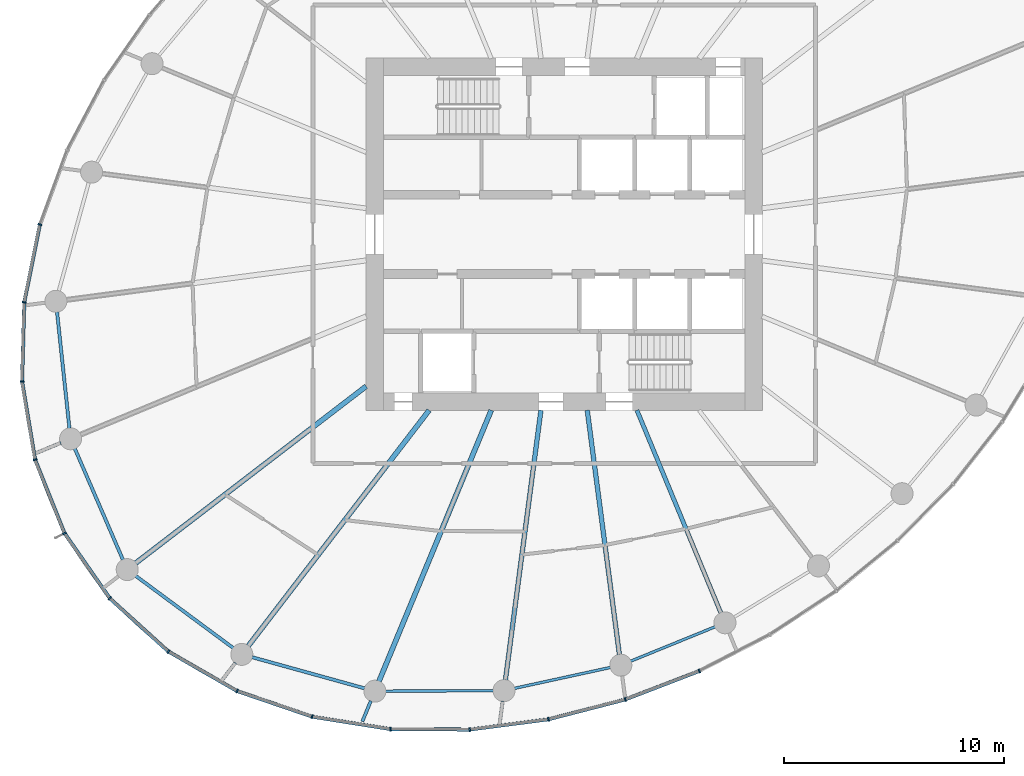
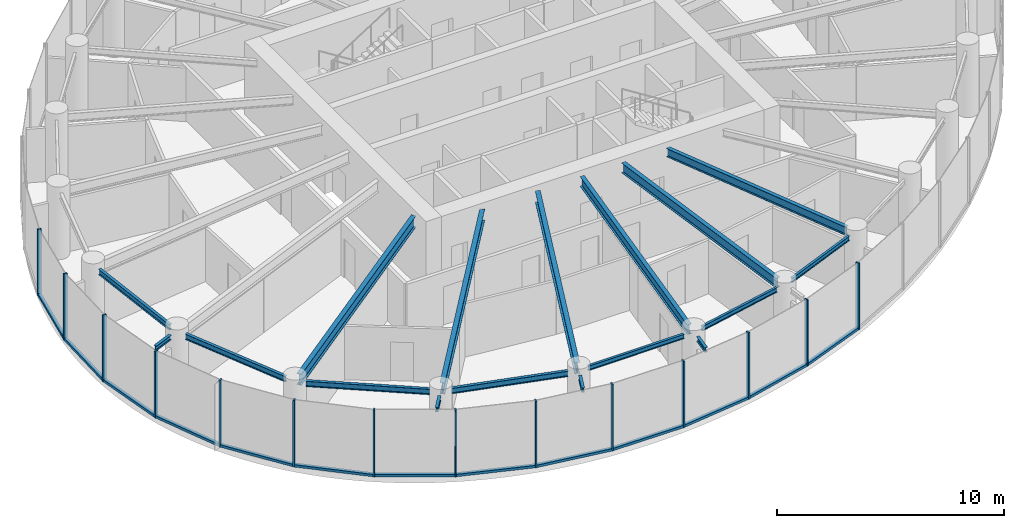
# One storey, part 2 of 14: 27 members, 17 beams, 3 elements without a shape of their own.
"""IFC4 building model written with IfcOpenShell, lengths in metres."""

from ifc_helpers import new_model, si_unit, direction, frame, origin, origin_2d, place, context, subcontext, project, spatial, rectangle, i_section, extrude, source, transform, mapped, material, layer, layer_set, material_profile, profile_set, type_object, element, aggregate, save


model = new_model("IFC4")

# Units and contexts
model_context = context("Model", 3, precision=1e-05, world=origin(), true_north=direction((0.0, 1.0)))
body_context = subcontext(model_context, "Body", "Model", "MODEL_VIEW")
ifc_project = project(units=[si_unit("LENGTHUNIT", "METRE"), si_unit("AREAUNIT", "SQUARE_METRE"), si_unit("VOLUMEUNIT", "CUBIC_METRE"), si_unit("PLANEANGLEUNIT", "RADIAN"), si_unit("MASSUNIT", "GRAM", prefix="KILO")], contexts=[model_context])

# Site, building, storey
site_placement = place(None, origin())
site = spatial("IfcSite", under=ifc_project, at=site_placement, CompositionType="ELEMENT")
building_placement = place(site_placement, origin())
building = spatial("IfcBuilding", under=site, at=building_placement, Name="Spindrift Exchange Tower", CompositionType="ELEMENT")
storey_placement = place(building_placement, frame((0.0, 0.0, 160.39990234375)))
storey = spatial("IfcBuildingStorey", under=building, at=storey_placement, Name="L38", CompositionType="ELEMENT", Elevation=160.39990234375)

# Beams
ifc_material_1 = material(Name="Steel Grade 300", Category="steel")
ifc_material_profile_1 = material_profile(ifc_material_1, i_section(OverallWidth=0.14892578125, OverallDepth=0.298095703125, WebThickness=0.005615234375, FlangeThickness=0.008056640625, FilletRadius=0.012939453125, at=origin_2d()), Name="310UB32.0")
ifc_profile_set_1 = profile_set([ifc_material_profile_1], Name="Steel Grade 300")
beam_type_1 = type_object("IfcBeamType", Name="Edge Beam 310UB32.0 Steel Grade 300", PredefinedType="SPANDREL", material=ifc_profile_set_1)
shared_shape_1 = source(origin(), body_context, "Body", "SweptSolid", [
    extrude(i_section(OverallWidth=0.14892578125, OverallDepth=0.298095703125, WebThickness=0.005615234375, FlangeThickness=0.008056640625, FilletRadius=0.012939453125, at=origin_2d()), origin(), (0.0, 0.0, 1.0), 5.31640625),
])
beam_1_placement = place(storey_placement, frame((28.989013671875, 44.486572265625, 3.43115234375), z_axis=(0.10598990948, -0.994367205357, 0.0), x_axis=(0.994367205357, 0.10598990948, 0.0)))
element("IfcBeam", 1, at=beam_1_placement, inside=storey, type_object=beam_type_1, Name="L38 edge beam E13", PredefinedType="SPANDREL", context=body_context, shape_type="MappedRepresentation", body=[
    mapped(shared_shape_1, transform((0.0, 0.0, 0.0), scale=1.0)),
])
shared_shape_2 = source(origin(), body_context, "Body", "SweptSolid", [
    extrude(i_section(OverallWidth=0.14892578125, OverallDepth=0.298095703125, WebThickness=0.005615234375, FlangeThickness=0.008056640625, FilletRadius=0.012939453125, at=origin_2d()), origin(), (0.0, 0.0, 1.0), 5.508544921875),
])
beam_2_placement = place(storey_placement, frame((29.794189453125, 38.282470703125, 3.43115234375), z_axis=(0.397414644433, -0.917639144975, 0.0), x_axis=(0.917639144975, 0.397414644433, 0.0)))
element("IfcBeam", 2, at=beam_2_placement, inside=storey, type_object=beam_type_1, Name="L38 edge beam E14", PredefinedType="SPANDREL", context=body_context, shape_type="MappedRepresentation", body=[
    mapped(shared_shape_2, transform((0.0, 0.0, 0.0), scale=1.0)),
])
shared_shape_3 = source(origin(), body_context, "Body", "SweptSolid", [
    extrude(i_section(OverallWidth=0.14892578125, OverallDepth=0.298095703125, WebThickness=0.005615234375, FlangeThickness=0.008056640625, FilletRadius=0.012939453125, at=origin_2d()), origin(), (0.0, 0.0, 1.0), 5.509033203125),
])
beam_3_placement = place(storey_placement, frame((32.56005859375, 32.501708984375, 3.43115234375), z_axis=(0.803991901791, -0.594640245741, 0.0), x_axis=(0.594640245741, 0.803991901791, 0.0)))
element("IfcBeam", 3, at=beam_3_placement, inside=storey, type_object=beam_type_1, Name="L38 edge beam E15", PredefinedType="SPANDREL", context=body_context, shape_type="MappedRepresentation", body=[
    mapped(shared_shape_3, transform((0.0, 0.0, 0.0), scale=1.0)),
])
shared_shape_4 = source(origin(), body_context, "Body", "SweptSolid", [
    extrude(i_section(OverallWidth=0.14892578125, OverallDepth=0.298095703125, WebThickness=0.005615234375, FlangeThickness=0.008056640625, FilletRadius=0.012939453125, at=origin_2d()), origin(), (0.0, 0.0, 1.0), 5.30517578125),
])
beam_4_placement = place(storey_placement, frame((37.837646484375, 28.8125, 3.43115234375), z_axis=(0.963757513624, -0.26677978734, 0.0), x_axis=(0.26677978734, 0.963757513624, 0.0)))
element("IfcBeam", 4, at=beam_4_placement, inside=storey, type_object=beam_type_1, Name="L38 edge beam E16", PredefinedType="SPANDREL", context=body_context, shape_type="MappedRepresentation", body=[
    mapped(shared_shape_4, transform((0.0, 0.0, 0.0), scale=1.0)),
])
ifc_material_profile_2 = material_profile(ifc_material_1, i_section(OverallWidth=0.1240234375, OverallDepth=0.248046875, WebThickness=0.0048828125, FlangeThickness=0.008056640625, FilletRadius=0.011962890625, at=origin_2d()), Name="250UB25.7")
ifc_profile_set_2 = profile_set([ifc_material_profile_2], Name="Steel Grade 300")
beam_type_2 = type_object("IfcBeamType", Name="Edge Beam 250UB25.7 Steel Grade 300", PredefinedType="SPANDREL", material=ifc_profile_set_2)
shared_shape_5 = source(origin(), body_context, "Body", "SweptSolid", [
    extrude(i_section(OverallWidth=0.1240234375, OverallDepth=0.248046875, WebThickness=0.0048828125, FlangeThickness=0.008056640625, FilletRadius=0.011962890625, at=origin_2d()), origin(), (0.0, 0.0, 1.0), 4.901123046875),
])
beam_5_placement = place(storey_placement, frame((43.89306640625, 27.271240234375, 3.4560546875), z_axis=(0.999990609444, 0.004333707747, 0.0), x_axis=(-0.004333707747, 0.999990609444, 0.0)))
element("IfcBeam", 5, at=beam_5_placement, inside=storey, type_object=beam_type_2, Name="L38 edge beam E17", PredefinedType="SPANDREL", context=body_context, shape_type="MappedRepresentation", body=[
    mapped(shared_shape_5, transform((0.0, 0.0, 0.0), scale=1.0)),
])
shared_shape_6 = source(origin(), body_context, "Body", "SweptSolid", [
    extrude(i_section(OverallWidth=0.1240234375, OverallDepth=0.248046875, WebThickness=0.0048828125, FlangeThickness=0.008056640625, FilletRadius=0.011962890625, at=origin_2d()), origin(), (0.0, 0.0, 1.0), 4.464111328125),
])
beam_6_placement = place(storey_placement, frame((49.7431640625, 27.396728515625, 3.4560546875), z_axis=(0.977095837978, 0.212799726048, 0.0), x_axis=(-0.212799726048, 0.977095837978, 0.0)))
element("IfcBeam", 6, at=beam_6_placement, inside=storey, type_object=beam_type_2, Name="L38 edge beam E18", PredefinedType="SPANDREL", context=body_context, shape_type="MappedRepresentation", body=[
    mapped(shared_shape_6, transform((0.0, 0.0, 0.0), scale=1.0)),
])
shared_shape_7 = source(origin(), body_context, "Body", "SweptSolid", [
    extrude(i_section(OverallWidth=0.1240234375, OverallDepth=0.248046875, WebThickness=0.0048828125, FlangeThickness=0.008056640625, FilletRadius=0.011962890625, at=origin_2d()), origin(), (0.0, 0.0, 1.0), 4.143798828125),
])
beam_7_placement = place(storey_placement, frame((55.0185546875, 28.6298828125, 3.4560546875), z_axis=(0.926113706975, 0.377244485385, 0.0), x_axis=(-0.377244485385, 0.926113706975, 0.0)))
element("IfcBeam", 7, at=beam_7_placement, inside=storey, type_object=beam_type_2, Name="L38 edge beam E19", PredefinedType="SPANDREL", context=body_context, shape_type="MappedRepresentation", body=[
    mapped(shared_shape_7, transform((0.0, 0.0, 0.0), scale=1.0)),
])
ifc_material_profile_3 = material_profile(ifc_material_1, i_section(OverallWidth=0.22802734375, OverallDepth=0.60205078125, WebThickness=0.010498046875, FlangeThickness=0.014892578125, FilletRadius=0.013916015625, at=origin_2d()), Name="610UB101")
ifc_profile_set_3 = profile_set([ifc_material_profile_3], Name="Steel Grade 300")
beam_type_3 = type_object("IfcBeamType", Name="Floor Beam 610UB101 Steel Grade 300", PredefinedType="BEAM", material=ifc_profile_set_3)
shared_shape_8 = source(origin(), body_context, "Body", "SweptSolid", [
    extrude(i_section(OverallWidth=0.22802734375, OverallDepth=0.60205078125, WebThickness=0.010498046875, FlangeThickness=0.014892578125, FilletRadius=0.013916015625, at=origin_2d()), origin(), (0.0, 0.0, 1.0), 13.185546875),
])
beam_8_placement = place(storey_placement, frame((43.015869140625, 41.106201171875, 3.279052734375), z_axis=(-0.793357156703, -0.608756455332, 0.0), x_axis=(0.608756455332, -0.793357156703, 0.0)))
element("IfcBeam", 8, at=beam_8_placement, inside=storey, type_object=beam_type_3, Name="L38 radial beam R15A", PredefinedType="BEAM", context=body_context, shape_type="MappedRepresentation", body=[
    mapped(shared_shape_8, transform((0.0, 0.0, 0.0), scale=1.0)),
])
shared_shape_9 = source(origin(), body_context, "Body", "SweptSolid", [
    extrude(i_section(OverallWidth=0.22802734375, OverallDepth=0.60205078125, WebThickness=0.010498046875, FlangeThickness=0.014892578125, FilletRadius=0.013916015625, at=origin_2d()), origin(), (0.0, 0.0, 1.0), 13.480224609375),
])
beam_9_placement = place(storey_placement, frame((45.87353515625, 40.015869140625, 3.279052734375), z_axis=(-0.608764179541, -0.793351229726, 0.0), x_axis=(0.793351229726, -0.608764179541, 0.0)))
element("IfcBeam", 9, at=beam_9_placement, inside=storey, type_object=beam_type_3, Name="L38 radial beam R16A", PredefinedType="BEAM", context=body_context, shape_type="MappedRepresentation", body=[
    mapped(shared_shape_9, transform((0.0, 0.0, 0.0), scale=1.0)),
])
shared_shape_10 = source(origin(), body_context, "Body", "SweptSolid", [
    extrude(i_section(OverallWidth=0.22802734375, OverallDepth=0.60205078125, WebThickness=0.010498046875, FlangeThickness=0.014892578125, FilletRadius=0.013916015625, at=origin_2d()), origin(), (0.0, 0.0, 1.0), 13.31982421875),
])
beam_10_placement = place(storey_placement, frame((48.69384765625, 40.0185546875, 3.279052734375), z_axis=(-0.382676632888, -0.923882348918, 0.0), x_axis=(0.923882348918, -0.382676632888, 0.0)))
element("IfcBeam", 10, at=beam_10_placement, inside=storey, type_object=beam_type_3, Name="L38 radial beam R17A", PredefinedType="BEAM", context=body_context, shape_type="MappedRepresentation", body=[
    mapped(shared_shape_10, transform((0.0, 0.0, 0.0), scale=1.0)),
])
ifc_material_profile_4 = material_profile(ifc_material_1, i_section(OverallWidth=0.208984375, OverallDepth=0.528076171875, WebThickness=0.009521484375, FlangeThickness=0.01318359375, FilletRadius=0.013916015625, at=origin_2d()), Name="530UB82.0")
ifc_profile_set_4 = profile_set([ifc_material_profile_4], Name="Steel Grade 300")
beam_type_4 = type_object("IfcBeamType", Name="Floor Beam 530UB82.0 Steel Grade 300", PredefinedType="BEAM", material=ifc_profile_set_4)
shared_shape_11 = source(origin(), body_context, "Body", "SweptSolid", [
    extrude(i_section(OverallWidth=0.208984375, OverallDepth=0.528076171875, WebThickness=0.009521484375, FlangeThickness=0.01318359375, FilletRadius=0.013916015625, at=origin_2d()), origin(), (0.0, 0.0, 1.0), 12.35498046875),
])
beam_11_placement = place(storey_placement, frame((50.949462890625, 40.019775390625, 3.316162109375), z_axis=(-0.130537831721, -0.991443328935, 0.0), x_axis=(0.991443328935, -0.130537831721, 0.0)))
element("IfcBeam", 11, at=beam_11_placement, inside=storey, type_object=beam_type_4, Name="L38 radial beam R18A", PredefinedType="BEAM", context=body_context, shape_type="MappedRepresentation", body=[
    mapped(shared_shape_11, transform((0.0, 0.0, 0.0), scale=1.0)),
])
shared_shape_12 = source(origin(), body_context, "Body", "SweptSolid", [
    extrude(i_section(OverallWidth=0.208984375, OverallDepth=0.528076171875, WebThickness=0.009521484375, FlangeThickness=0.01318359375, FilletRadius=0.013916015625, at=origin_2d()), origin(), (0.0, 0.0, 1.0), 11.19091796875),
])
beam_12_placement = place(storey_placement, frame((53.050537109375, 40.019775390625, 3.316162109375), z_axis=(0.130524489434, -0.991445085548, 0.0), x_axis=(0.991445085548, 0.130524489434, 0.0)))
element("IfcBeam", 12, at=beam_12_placement, inside=storey, type_object=beam_type_4, Name="L38 radial beam R19A", PredefinedType="BEAM", context=body_context, shape_type="MappedRepresentation", body=[
    mapped(shared_shape_12, transform((0.0, 0.0, 0.0), scale=1.0)),
])
ifc_material_profile_5 = material_profile(ifc_material_1, i_section(OverallWidth=0.18994140625, OverallDepth=0.4541015625, WebThickness=0.008544921875, FlangeThickness=0.0126953125, FilletRadius=0.013916015625, at=origin_2d()), Name="460UB67.1")
ifc_profile_set_5 = profile_set([ifc_material_profile_5], Name="Steel Grade 300")
beam_type_5 = type_object("IfcBeamType", Name="Floor Beam 460UB67.1 Steel Grade 300", PredefinedType="BEAM", material=ifc_profile_set_5)
shared_shape_13 = source(origin(), body_context, "Body", "SweptSolid", [
    extrude(i_section(OverallWidth=0.18994140625, OverallDepth=0.4541015625, WebThickness=0.008544921875, FlangeThickness=0.0126953125, FilletRadius=0.013916015625, at=origin_2d()), origin(), (0.0, 0.0, 1.0), 9.958984375),
])
beam_13_placement = place(storey_placement, frame((55.30615234375, 40.0185546875, 3.35302734375), z_axis=(0.382673670509, -0.923883575944, 0.0), x_axis=(0.923883575944, 0.382673670509, 0.0)))
element("IfcBeam", 13, at=beam_13_placement, inside=storey, type_object=beam_type_5, Name="L38 radial beam R20A", PredefinedType="BEAM", context=body_context, shape_type="MappedRepresentation", body=[
    mapped(shared_shape_13, transform((0.0, 0.0, 0.0), scale=1.0)),
])
ifc_material_profile_6 = material_profile(ifc_material_1, i_section(OverallWidth=0.14599609375, OverallDepth=0.251953125, WebThickness=0.006103515625, FlangeThickness=0.008544921875, FilletRadius=0.011962890625, at=origin_2d()), Name="250UB31.4")
ifc_profile_set_6 = profile_set([ifc_material_profile_6], Name="Steel Grade 300")
beam_type_6 = type_object("IfcBeamType", Name="Cantilever Beam 250UB31.4 Steel Grade 300", PredefinedType="BEAM", material=ifc_profile_set_6)
shared_shape_14 = source(origin(), body_context, "Body", "SweptSolid", [
    extrude(i_section(OverallWidth=0.14599609375, OverallDepth=0.251953125, WebThickness=0.006103515625, FlangeThickness=0.008544921875, FilletRadius=0.011962890625, at=origin_2d()), origin(), (0.0, 0.0, 1.0), 1.095458984375),
])
beam_14_placement = place(storey_placement, frame((29.159912109375, 38.539306640625, 3.4541015625), z_axis=(-0.923872851141, -0.382699562222, 0.0), x_axis=(0.382699562222, -0.923872851141, 0.0)))
element("IfcBeam", 14, at=beam_14_placement, inside=storey, type_object=beam_type_6, Name="L38 cantilever beam R14T", PredefinedType="BEAM", context=body_context, shape_type="MappedRepresentation", body=[
    mapped(shared_shape_14, transform((0.0, 0.0, 0.0), scale=1.0)),
])
shared_shape_15 = source(origin(), body_context, "Body", "SweptSolid", [
    extrude(i_section(OverallWidth=0.14599609375, OverallDepth=0.251953125, WebThickness=0.006103515625, FlangeThickness=0.008544921875, FilletRadius=0.011962890625, at=origin_2d()), origin(), (0.0, 0.0, 1.0), 0.93408203125),
])
beam_15_placement = place(storey_placement, frame((37.0830078125, 28.559814453125, 3.4541015625), z_axis=(-0.608788178912, -0.793332813652, 0.0), x_axis=(0.793332813652, -0.608788178912, 0.0)))
element("IfcBeam", 15, at=beam_15_placement, inside=storey, type_object=beam_type_6, Name="L38 cantilever beam R16T", PredefinedType="BEAM", context=body_context, shape_type="MappedRepresentation", body=[
    mapped(shared_shape_15, transform((0.0, 0.0, 0.0), scale=1.0)),
])
shared_shape_16 = source(origin(), body_context, "Body", "SweptSolid", [
    extrude(i_section(OverallWidth=0.14599609375, OverallDepth=0.251953125, WebThickness=0.006103515625, FlangeThickness=0.008544921875, FilletRadius=0.011962890625, at=origin_2d()), origin(), (0.0, 0.0, 1.0), 1.010009765625),
])
beam_16_placement = place(storey_placement, frame((43.229248046875, 26.82568359375, 3.4541015625), z_axis=(-0.38265779885, -0.923890149844, 0.0), x_axis=(0.923890149844, -0.38265779885, 0.0)))
element("IfcBeam", 16, at=beam_16_placement, inside=storey, type_object=beam_type_6, Name="L38 cantilever beam R17T", PredefinedType="BEAM", context=body_context, shape_type="MappedRepresentation", body=[
    mapped(shared_shape_16, transform((0.0, 0.0, 0.0), scale=1.0)),
])
shared_shape_17 = source(origin(), body_context, "Body", "SweptSolid", [
    extrude(i_section(OverallWidth=0.14599609375, OverallDepth=0.251953125, WebThickness=0.006103515625, FlangeThickness=0.008544921875, FilletRadius=0.011962890625, at=origin_2d()), origin(), (0.0, 0.0, 1.0), 0.966796875),
])
beam_17_placement = place(storey_placement, frame((49.21142578125, 26.81884765625, 3.4541015625), z_axis=(-0.130559031548, -0.991440537441, 0.0), x_axis=(0.991440537441, -0.130559031548, 0.0)))
element("IfcBeam", 17, at=beam_17_placement, inside=storey, type_object=beam_type_6, Name="L38 cantilever beam R18T", PredefinedType="BEAM", context=body_context, shape_type="MappedRepresentation", body=[
    mapped(shared_shape_17, transform((0.0, 0.0, 0.0), scale=1.0)),
])

# Curtain wall, member
ifc_material_2 = material(Name="Fritted laminated glass with bronze frame", Category="glass")
ifc_layer = layer(ifc_material_2, 0.179931640625)
ifc_layer_set = layer_set([ifc_layer], Name="ZONE 3 BRONZE FRITTED WALL")
curtain_wall_type = type_object("IfcCurtainWallType", Name="ZONE 3 BRONZE FRITTED WALL", PredefinedType="NOTDEFINED", material=ifc_layer_set)
curtain_wall_1_placement = place(storey_placement, origin())
curtain_wall_1 = element("IfcCurtainWall", 18, at=curtain_wall_1_placement, inside=storey, type_object=curtain_wall_type, Name="L38 Zone 3 Bronze Fritted Wall run 5", PredefinedType="NOTDEFINED")
ifc_material_3 = material(Name="Bronze anodised aluminium", Category="aluminium")
ifc_material_profile_7 = material_profile(ifc_material_3, rectangle(XDim=0.159912109375, YDim=0.1298828125, at=origin_2d()), Name="ZONE 3 BRONZE FRITTED WALL TRANSOM 160X130")
ifc_profile_set_7 = profile_set([ifc_material_profile_7], Name="Bronze anodised aluminium")
member_type_1 = type_object("IfcMemberType", Name="ZONE 3 BRONZE FRITTED WALL TRANSOM 160X130", PredefinedType="USERDEFINED", material=ifc_profile_set_7)
shared_shape_18 = source(origin(), body_context, "Body", "SweptSolid", [
    extrude(rectangle(XDim=0.159912109375, YDim=0.1298828125, at=origin_2d()), origin(), (0.0, 0.0, 1.0), 3.53076171875),
])
member_1_placement = place(storey_placement, frame((54.808349609375, 26.904296875, 0.065185546875), z_axis=(0.933468516944, 0.358659347955, 0.0), x_axis=(-0.358659347955, 0.933468516944, 0.0)))
member_1 = element("IfcMember", 19, at=member_1_placement, type_object=member_type_1, Name="L38 transom CW-3.29", ObjectType="TRANSOM", PredefinedType="USERDEFINED", context=body_context, shape_type="MappedRepresentation", body=[
    mapped(shared_shape_18, transform((0.0, 0.0, 0.0), scale=1.0)),
])

curtain_wall_2_placement = place(storey_placement, origin())
curtain_wall_2 = element("IfcCurtainWall", 20, at=curtain_wall_2_placement, inside=storey, type_object=curtain_wall_type, Name="L38 Zone 3 Bronze Fritted Wall run 3", PredefinedType="NOTDEFINED")
shared_shape_19 = source(origin(), body_context, "Body", "SweptSolid", [
    extrude(rectangle(XDim=0.159912109375, YDim=0.1298828125, at=origin_2d()), origin(), (0.0, 0.0, 1.0), 3.52880859375),
])
member_2_placement = place(storey_placement, frame((28.203857421875, 48.409912109375, 0.065185546875), z_axis=(-0.197592749277, -0.980284196258, 0.0), x_axis=(0.980284196258, -0.197592749277, 0.0)))
member_2 = element("IfcMember", 21, at=member_2_placement, type_object=member_type_1, Name="L38 transom CW-3.17", ObjectType="TRANSOM", PredefinedType="USERDEFINED", context=body_context, shape_type="MappedRepresentation", body=[
    mapped(shared_shape_19, transform((0.0, 0.0, 0.0), scale=1.0)),
])

# Member
member_3_placement = place(storey_placement, frame((40.600341796875, 26.107666015625, 0.065185546875), z_axis=(0.987644878604, -0.156708626973, 0.0), x_axis=(0.156708626973, 0.987644878604, 0.0)))
member_3 = element("IfcMember", 22, at=member_3_placement, type_object=member_type_1, Name="L38 transom CW-3.25", ObjectType="TRANSOM", PredefinedType="USERDEFINED", context=body_context, shape_type="MappedRepresentation", body=[
    mapped(shared_shape_19, transform((0.0, 0.0, 0.0), scale=1.0)),
])

# Curtain wall, members
curtain_wall_3_placement = place(storey_placement, origin())
curtain_wall_3 = element("IfcCurtainWall", 23, at=curtain_wall_3_placement, inside=storey, type_object=curtain_wall_type, Name="L38 Zone 3 Bronze Fritted Wall run 4", PredefinedType="NOTDEFINED")
shared_shape_20 = source(origin(), body_context, "Body", "SweptSolid", [
    extrude(rectangle(XDim=0.159912109375, YDim=0.1298828125, at=origin_2d()), origin(), (0.0, 0.0, 1.0), 3.525146484375),
])
member_4_placement = place(storey_placement, frame((28.0078125, 37.740966796875, 0.065185546875), z_axis=(0.371080192185, -0.928600824341, 0.0), x_axis=(0.928600824341, 0.371080192185, 0.0)))
member_4 = element("IfcMember", 24, at=member_4_placement, type_object=member_type_1, Name="L38 transom CW-3.20", ObjectType="TRANSOM", PredefinedType="USERDEFINED", context=body_context, shape_type="MappedRepresentation", body=[
    mapped(shared_shape_20, transform((0.0, 0.0, 0.0), scale=1.0)),
])
member_5_placement = place(storey_placement, frame((31.40625, 31.45947265625, 0.065185546875), z_axis=(0.740854473837, -0.671665577945, 0.0), x_axis=(0.671665577945, 0.740854473837, 0.0)))
member_5 = element("IfcMember", 25, at=member_5_placement, type_object=member_type_1, Name="L38 transom CW-3.22", ObjectType="TRANSOM", PredefinedType="USERDEFINED", context=body_context, shape_type="MappedRepresentation", body=[
    mapped(shared_shape_20, transform((0.0, 0.0, 0.0), scale=1.0)),
])

# Member
shared_shape_21 = source(origin(), body_context, "Body", "SweptSolid", [
    extrude(rectangle(XDim=0.159912109375, YDim=0.1298828125, at=origin_2d()), origin(), (0.0, 0.0, 1.0), 3.530517578125),
])
member_6_placement = place(storey_placement, frame((51.3232421875, 26.0009765625, 0.065185546875), z_axis=(0.968284339856, 0.249850829874, 0.0), x_axis=(-0.249850829874, 0.968284339856, 0.0)))
member_6 = element("IfcMember", 26, at=member_6_placement, type_object=member_type_1, Name="L38 transom CW-3.28", ObjectType="TRANSOM", PredefinedType="USERDEFINED", context=body_context, shape_type="MappedRepresentation", body=[
    mapped(shared_shape_21, transform((0.0, 0.0, 0.0), scale=1.0)),
])

ifc_material_profile_8 = material_profile(ifc_material_3, rectangle(XDim=0.070068359375, YDim=0.179931640625, at=origin_2d()), Name="ZONE 3 BRONZE FRITTED WALL MULLION 70X180")
ifc_profile_set_8 = profile_set([ifc_material_profile_8], Name="Bronze anodised aluminium")
member_type_2 = type_object("IfcMemberType", Name="ZONE 3 BRONZE FRITTED WALL MULLION 70X180", PredefinedType="MULLION", material=ifc_profile_set_8)
shared_shape_22 = source(origin(), body_context, "Body", "SweptSolid", [
    extrude(rectangle(XDim=0.070068359375, YDim=0.179931640625, at=origin_2d()), origin(), (0.0, 0.0, 1.0), 3.580078125),
])
member_7_placement = place(storey_placement, frame((28.210693359375, 48.444091796875, 0.0), z_axis=(0.0, 0.0, 1.0), x_axis=(-0.271141942713, -0.962539374208, 0.0)))
member_7 = element("IfcMember", 27, at=member_7_placement, type_object=member_type_2, Name="L38 mullion CW-3.17", PredefinedType="MULLION", context=body_context, shape_type="MappedRepresentation", body=[
    mapped(shared_shape_22, transform((0.0, 0.0, 0.0), scale=1.0)),
])

member_8_placement = place(storey_placement, frame((27.499755859375, 44.91650390625, 0.0), z_axis=(0.0, 0.0, 1.0), x_axis=(-0.112972174555, -0.99359815206, 0.0)))
member_8 = element("IfcMember", 28, at=member_8_placement, type_object=member_type_2, Name="L38 mullion CW-3.18", PredefinedType="MULLION", context=body_context, shape_type="MappedRepresentation", body=[
    mapped(shared_shape_22, transform((0.0, 0.0, 0.0), scale=1.0)),
])

member_9_placement = place(storey_placement, frame((27.400634765625, 41.3203125, 0.0), z_axis=(0.0, 0.0, 1.0), x_axis=(0.069178379237, -0.997604306249, 0.0)))
member_9 = element("IfcMember", 29, at=member_9_placement, type_object=member_type_2, Name="L38 mullion CW-3.19", PredefinedType="MULLION", context=body_context, shape_type="MappedRepresentation", body=[
    mapped(shared_shape_22, transform((0.0, 0.0, 0.0), scale=1.0)),
])

member_10_placement = place(storey_placement, frame((27.994873046875, 37.7734375, 0.0), z_axis=(0.0, 0.0, 1.0), x_axis=(0.269716979127, -0.962939640461, 0.0)))
member_10 = element("IfcMember", 30, at=member_10_placement, type_object=member_type_2, Name="L38 mullion CW-3.20", PredefinedType="MULLION", context=body_context, shape_type="MappedRepresentation", body=[
    mapped(shared_shape_22, transform((0.0, 0.0, 0.0), scale=1.0)),
])

member_11_placement = place(storey_placement, frame((29.3291015625, 34.43505859375, 0.0), z_axis=(0.0, 0.0, 1.0), x_axis=(0.473923194612, -0.880566184684, 0.0)))
member_11 = element("IfcMember", 31, at=member_11_placement, type_object=member_type_2, Name="L38 mullion CW-3.21", PredefinedType="MULLION", context=body_context, shape_type="MappedRepresentation", body=[
    mapped(shared_shape_22, transform((0.0, 0.0, 0.0), scale=1.0)),
])

member_12_placement = place(storey_placement, frame((31.38037109375, 31.483154296875, 0.0), z_axis=(0.0, 0.0, 1.0), x_axis=(0.660005940021, -0.751260380386, 0.0)))
member_12 = element("IfcMember", 32, at=member_12_placement, type_object=member_type_2, Name="L38 mullion CW-3.22", PredefinedType="MULLION", context=body_context, shape_type="MappedRepresentation", body=[
    mapped(shared_shape_22, transform((0.0, 0.0, 0.0), scale=1.0)),
])

member_13_placement = place(storey_placement, frame((34.043701171875, 29.068359375, 0.0), z_axis=(0.0, 0.0, 1.0), x_axis=(0.808422251521, -0.588602975906, 0.0)))
member_13 = element("IfcMember", 33, at=member_13_placement, type_object=member_type_2, Name="L38 mullion CW-3.23", PredefinedType="MULLION", context=body_context, shape_type="MappedRepresentation", body=[
    mapped(shared_shape_22, transform((0.0, 0.0, 0.0), scale=1.0)),
])

member_14_placement = place(storey_placement, frame((37.16064453125, 27.274658203125, 0.0), z_axis=(0.0, 0.0, 1.0), x_axis=(0.91084732205, -0.41274345048, 0.0)))
member_14 = element("IfcMember", 34, at=member_14_placement, type_object=member_type_2, Name="L38 mullion CW-3.24", PredefinedType="MULLION", context=body_context, shape_type="MappedRepresentation", body=[
    mapped(shared_shape_22, transform((0.0, 0.0, 0.0), scale=1.0)),
])

member_15_placement = place(storey_placement, frame((40.565673828125, 26.11328125, 0.0), z_axis=(0.0, 0.0, 1.0), x_axis=(0.970613508199, -0.24064375683, 0.0)))
member_15 = element("IfcMember", 35, at=member_15_placement, type_object=member_type_2, Name="L38 mullion CW-3.25", PredefinedType="MULLION", context=body_context, shape_type="MappedRepresentation", body=[
    mapped(shared_shape_22, transform((0.0, 0.0, 0.0), scale=1.0)),
])

member_16_placement = place(storey_placement, frame((44.119873046875, 25.54931640625, 0.0), z_axis=(0.0, 0.0, 1.0), x_axis=(0.996668854558, -0.081554854875, 0.0)))
member_16 = element("IfcMember", 36, at=member_16_placement, type_object=member_type_2, Name="L38 mullion CW-3.26", PredefinedType="MULLION", context=body_context, shape_type="MappedRepresentation", body=[
    mapped(shared_shape_22, transform((0.0, 0.0, 0.0), scale=1.0)),
])

member_17_placement = place(storey_placement, frame((47.719482421875, 25.52783203125, 0.0), z_axis=(0.0, 0.0, 1.0), x_axis=(0.998096664735, 0.061668856358, 0.0)))
member_17 = element("IfcMember", 37, at=member_17_placement, type_object=member_type_2, Name="L38 mullion CW-3.27", PredefinedType="MULLION", context=body_context, shape_type="MappedRepresentation", body=[
    mapped(shared_shape_22, transform((0.0, 0.0, 0.0), scale=1.0)),
])

member_18_placement = place(storey_placement, frame((51.289306640625, 25.9921875, 0.0), z_axis=(0.0, 0.0, 1.0), x_axis=(0.98183097224, 0.189757587334, 0.0)))
member_18 = element("IfcMember", 38, at=member_18_placement, type_object=member_type_2, Name="L38 mullion CW-3.28", PredefinedType="MULLION", context=body_context, shape_type="MappedRepresentation", body=[
    mapped(shared_shape_22, transform((0.0, 0.0, 0.0), scale=1.0)),
])

member_19_placement = place(storey_placement, frame((54.775634765625, 26.8916015625, 0.0), z_axis=(0.0, 0.0, 1.0), x_axis=(0.952440565726, 0.304724414446, 0.0)))
member_19 = element("IfcMember", 39, at=member_19_placement, type_object=member_type_2, Name="L38 mullion CW-3.29", PredefinedType="MULLION", context=body_context, shape_type="MappedRepresentation", body=[
    mapped(shared_shape_22, transform((0.0, 0.0, 0.0), scale=1.0)),
])

member_20_placement = place(storey_placement, frame((58.13671875, 28.18310546875, 0.0), z_axis=(0.0, 0.0, 1.0), x_axis=(0.912619328962, 0.408810421106, 0.0)))
member_20 = element("IfcMember", 40, at=member_20_placement, type_object=member_type_2, Name="L38 mullion CW-3.30", PredefinedType="MULLION", context=body_context, shape_type="MappedRepresentation", body=[
    mapped(shared_shape_22, transform((0.0, 0.0, 0.0), scale=1.0)),
])

shared_shape_23 = source(origin(), body_context, "Body", "SweptSolid", [
    extrude(rectangle(XDim=0.159912109375, YDim=0.1298828125, at=origin_2d()), origin(), (0.0, 0.0, 1.0), 3.530029296875),
])
member_21_placement = place(storey_placement, frame((47.754150390625, 25.532470703125, 0.065185546875), z_axis=(0.991646242574, 0.128987323365, 0.0), x_axis=(-0.128987323365, 0.991646242574, 0.0)))
member_21 = element("IfcMember", 41, at=member_21_placement, type_object=member_type_1, Name="L38 transom CW-3.27", ObjectType="TRANSOM", PredefinedType="USERDEFINED", context=body_context, shape_type="MappedRepresentation", body=[
    mapped(shared_shape_23, transform((0.0, 0.0, 0.0), scale=1.0)),
])

shared_shape_24 = source(origin(), body_context, "Body", "SweptSolid", [
    extrude(rectangle(XDim=0.159912109375, YDim=0.1298828125, at=origin_2d()), origin(), (0.0, 0.0, 1.0), 3.529541015625),
])
member_22_placement = place(storey_placement, frame((44.15478515625, 25.549072265625, 0.065185546875), z_axis=(0.9999823071, -0.005948570133, 0.0), x_axis=(0.005948570133, 0.9999823071, 0.0)))
member_22 = element("IfcMember", 42, at=member_22_placement, type_object=member_type_1, Name="L38 transom CW-3.26", ObjectType="TRANSOM", PredefinedType="USERDEFINED", context=body_context, shape_type="MappedRepresentation", body=[
    mapped(shared_shape_24, transform((0.0, 0.0, 0.0), scale=1.0)),
])

aggregate(curtain_wall_1, [member_15, member_3, member_16, member_22, member_17, member_21, member_18, member_6, member_19, member_1, member_20])

shared_shape_25 = source(origin(), body_context, "Body", "SweptSolid", [
    extrude(rectangle(XDim=0.159912109375, YDim=0.1298828125, at=origin_2d()), origin(), (0.0, 0.0, 1.0), 3.524658203125),
])
member_23_placement = place(storey_placement, frame((29.348876953125, 34.40625, 0.065185546875), z_axis=(0.570693033655, -0.821163480275, 0.0), x_axis=(0.821163480275, 0.570693033655, 0.0)))
member_23 = element("IfcMember", 43, at=member_23_placement, type_object=member_type_1, Name="L38 transom CW-3.21", ObjectType="TRANSOM", PredefinedType="USERDEFINED", context=body_context, shape_type="MappedRepresentation", body=[
    mapped(shared_shape_25, transform((0.0, 0.0, 0.0), scale=1.0)),
])

shared_shape_26 = source(origin(), body_context, "Body", "SweptSolid", [
    extrude(rectangle(XDim=0.159912109375, YDim=0.1298828125, at=origin_2d()), origin(), (0.0, 0.0, 1.0), 3.52734375),
])
member_24_placement = place(storey_placement, frame((27.498779296875, 44.88134765625, 0.065185546875), z_axis=(-0.027546144992, -0.99962053295, 0.0), x_axis=(0.99962053295, -0.027546144992, 0.0)))
member_24 = element("IfcMember", 44, at=member_24_placement, type_object=member_type_1, Name="L38 transom CW-3.18", ObjectType="TRANSOM", PredefinedType="USERDEFINED", context=body_context, shape_type="MappedRepresentation", body=[
    mapped(shared_shape_26, transform((0.0, 0.0, 0.0), scale=1.0)),
])

aggregate(curtain_wall_2, [member_7, member_2, member_8, member_24])

member_25_placement = place(storey_placement, frame((37.19384765625, 27.26318359375, 0.065185546875), z_axis=(0.946466461945, -0.322802162962, 0.0), x_axis=(0.322802162962, 0.946466461945, 0.0)))
member_25 = element("IfcMember", 45, at=member_25_placement, type_object=member_type_1, Name="L38 transom CW-3.24", ObjectType="TRANSOM", PredefinedType="USERDEFINED", context=body_context, shape_type="MappedRepresentation", body=[
    mapped(shared_shape_26, transform((0.0, 0.0, 0.0), scale=1.0)),
])

shared_shape_27 = source(origin(), body_context, "Body", "SweptSolid", [
    extrude(rectangle(XDim=0.159912109375, YDim=0.1298828125, at=origin_2d()), origin(), (0.0, 0.0, 1.0), 3.526123046875),
])
member_26_placement = place(storey_placement, frame((27.406494140625, 41.28564453125, 0.065185546875), z_axis=(0.165196078333, -0.986260744278, 0.0), x_axis=(0.986260744278, 0.165196078333, 0.0)))
member_26 = element("IfcMember", 46, at=member_26_placement, type_object=member_type_1, Name="L38 transom CW-3.19", ObjectType="TRANSOM", PredefinedType="USERDEFINED", context=body_context, shape_type="MappedRepresentation", body=[
    mapped(shared_shape_27, transform((0.0, 0.0, 0.0), scale=1.0)),
])

member_27_placement = place(storey_placement, frame((34.07421875, 29.051025390625, 0.065185546875), z_axis=(0.8666923048, -0.498843110408, 0.0), x_axis=(0.498843110408, 0.8666923048, 0.0)))
member_27 = element("IfcMember", 47, at=member_27_placement, type_object=member_type_1, Name="L38 transom CW-3.23", ObjectType="TRANSOM", PredefinedType="USERDEFINED", context=body_context, shape_type="MappedRepresentation", body=[
    mapped(shared_shape_27, transform((0.0, 0.0, 0.0), scale=1.0)),
])

aggregate(curtain_wall_3, [member_9, member_26, member_10, member_4, member_11, member_23, member_12, member_5, member_13, member_27, member_14, member_25])

save(model, "model.ifc")
